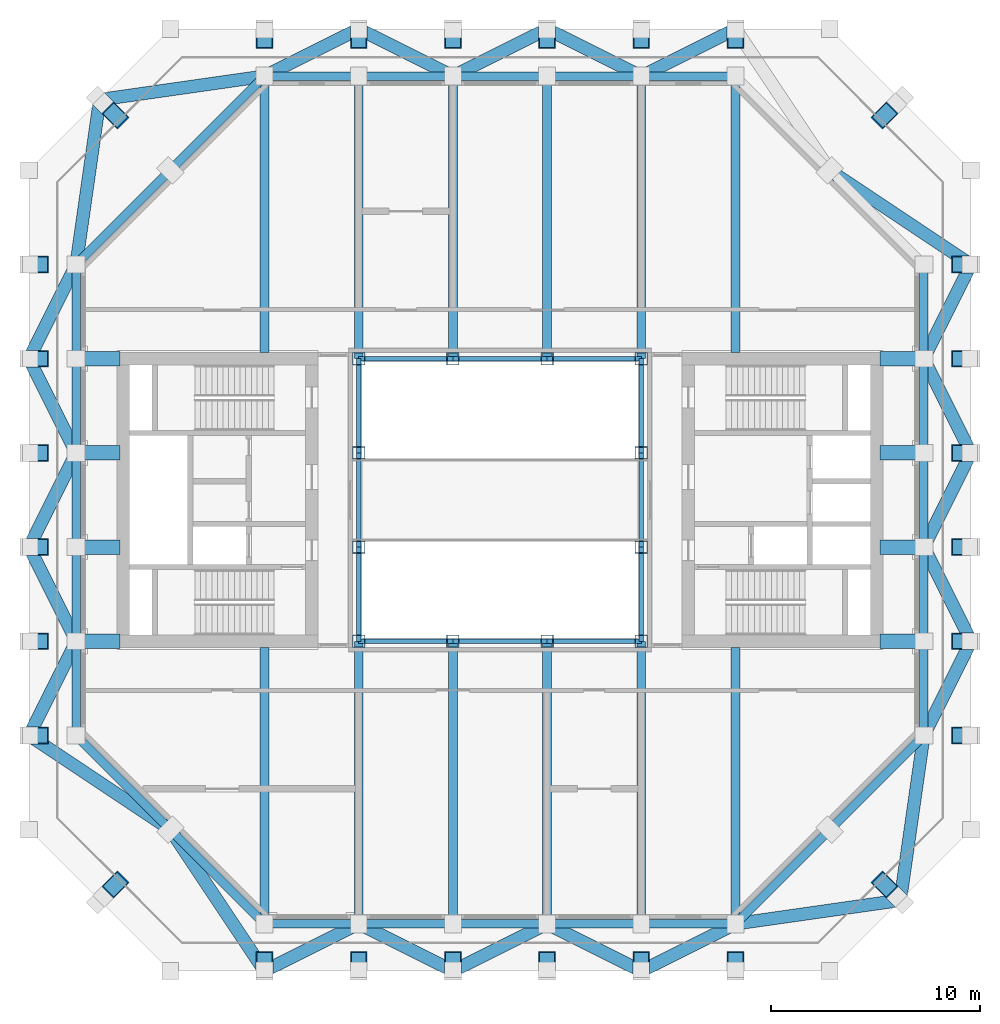
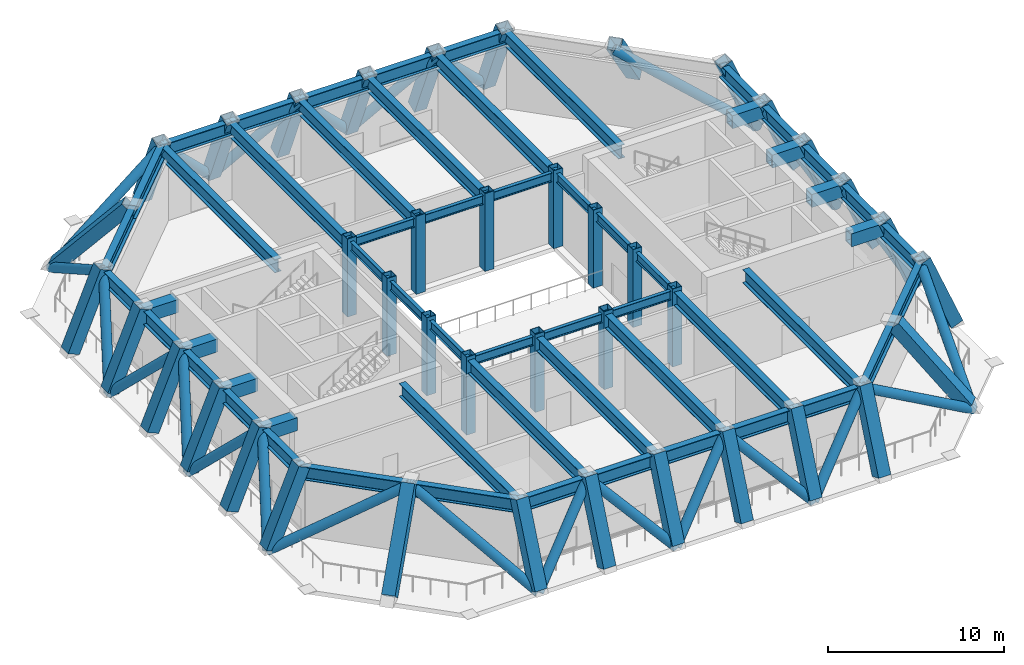
# One storey, part 1 of 8: 58 beams, 40 columns, 27 members.
"""IFC4 building model written with IfcOpenShell, lengths in metres."""

from ifc_helpers import new_model, si_unit, direction, frame, origin, origin_2d, place, context, subcontext, project, spatial, hollow_rectangle, hollow_circle, i_section, extrude, clip, halfspace, material, material_profile, profile_set, type_object, element, save


model = new_model("IFC4")

# Units and contexts
model_context = context("Model", 3, precision=1e-05, world=origin(), true_north=direction((0.0, 1.0)))
body_context = subcontext(model_context, "Body", "Model", "MODEL_VIEW")
ifc_project = project(units=[si_unit("LENGTHUNIT", "METRE"), si_unit("AREAUNIT", "SQUARE_METRE"), si_unit("VOLUMEUNIT", "CUBIC_METRE"), si_unit("PLANEANGLEUNIT", "RADIAN"), si_unit("MASSUNIT", "GRAM", prefix="KILO")], contexts=[model_context])

# Site, building, storey
site_placement = place(None, origin())
site = spatial("IfcSite", under=ifc_project, at=site_placement, CompositionType="ELEMENT")
building_placement = place(site_placement, origin())
building = spatial("IfcBuilding", under=site, at=building_placement, Name="Msasa Ring Tower", CompositionType="ELEMENT")
storey_placement = place(building_placement, frame((0.0, 0.0, 190.39990234375)))
storey = spatial("IfcBuildingStorey", under=building, at=storey_placement, Name="L50", CompositionType="ELEMENT", Elevation=190.39990234375)

# Columns
ifc_material_1 = material(Name="Steel S355", Category="steel")
ifc_material_profile_1 = material_profile(ifc_material_1, hollow_rectangle(XDim=0.60009765625, YDim=0.60009765625, WallThickness=0.030029296875, at=origin_2d()), Name="BOX 600x600x30")
ifc_profile_set_1 = profile_set([ifc_material_profile_1], Name="Steel S355")
column_type_1 = type_object("IfcColumnType", Name="IC5 BOX 600x600x30", PredefinedType="COLUMN", material=ifc_profile_set_1)
for number, where, z_axis, x_axis, name in (
    (1, (-6.75, -6.75, 0.0), (0.0, 0.0, 1.0), (1.0, 0.0, 0.0), "Inner ring column IR-6.75-6.75 L50"),
    (2, (-6.75, -2.25, 0.0), (0.0, 0.0, 1.0), (1.0, 0.0, 0.0), "Inner ring column IR-6.75-2.25 L50"),
    (3, (-6.75, 2.25, 0.0), (0.0, 0.0, 1.0), (1.0, 0.0, 0.0), "Inner ring column IR-6.75+2.25 L50"),
    (4, (-6.75, 6.75, 0.0), (0.0, 0.0, 1.0), (1.0, 0.0, 0.0), "Inner ring column IR-6.75+6.75 L50"),
    (5, (-2.25, -6.75, 0.0), (0.0, 0.0, 1.0), (1.0, 0.0, 0.0), "Inner ring column IR-2.25-6.75 L50"),
    (6, (-2.25, 6.75, 0.0), (0.0, 0.0, 1.0), (1.0, 0.0, 0.0), "Inner ring column IR-2.25+6.75 L50"),
    (7, (2.25, -6.75, 0.0), (0.0, 0.0, 1.0), (1.0, 0.0, 0.0), "Inner ring column IR+2.25-6.75 L50"),
    (8, (2.25, 6.75, 0.0), (0.0, 0.0, 1.0), (1.0, 0.0, 0.0), "Inner ring column IR+2.25+6.75 L50"),
    (9, (6.75, -6.75, 0.0), (0.0, 0.0, 1.0), (1.0, 0.0, 0.0), "Inner ring column IR+6.75-6.75 L50"),
    (10, (6.75, -2.25, 0.0), (0.0, 0.0, 1.0), (1.0, 0.0, 0.0), "Inner ring column IR+6.75-2.25 L50"),
    (11, (6.75, 2.25, 0.0), (0.0, 0.0, 1.0), (1.0, 0.0, 0.0), "Inner ring column IR+6.75+2.25 L50"),
    (12, (6.75, 6.75, 0.0), (0.0, 0.0, 1.0), (1.0, 0.0, 0.0), "Inner ring column IR+6.75+6.75 L50"),
):
    element("IfcColumn", number, at=place(storey_placement, frame(where, z_axis=z_axis, x_axis=x_axis)), inside=storey, type_object=column_type_1, Name=name, PredefinedType="COLUMN", context=body_context, shape_type="SweptSolid", body=[
        extrude(hollow_rectangle(XDim=0.60009765625, YDim=0.60009765625, WallThickness=0.030029296875, at=origin_2d()), origin(), (0.0, 0.0, 1.0), 5.400146484375),
    ])
ifc_material_2 = material(Name="Steel S355", Category="steel")
ifc_material_profile_2 = material_profile(ifc_material_2, hollow_rectangle(XDim=0.800048828125, YDim=0.800048828125, WallThickness=0.044921875, at=origin_2d()), Name="BOX 800x800x45")
ifc_profile_set_2 = profile_set([ifc_material_profile_2], Name="Steel S355")
column_type_2 = type_object("IfcColumnType", Name="RC2 BOX 800x800x45", PredefinedType="USERDEFINED", material=ifc_profile_set_2)
for number, where, z_axis, x_axis, name in (
    (13, (-11.25, -22.5, 0.0), (0.0, 0.384606494839, 0.9230806271), (0.0, -0.923096561273, 0.384568249555), "Raked tube column S-11.25 L50"),
    (14, (-11.25, 22.5, 0.0), (0.0, -0.384606494839, 0.9230806271), (0.0, 0.923096561273, 0.384568249555), "Raked tube column N-11.25 L50"),
    (15, (22.5, -11.25, 0.0), (-0.384606494839, 0.0, 0.9230806271), (0.0, -1.0, 0.0), "Raked tube column E-11.25 L50"),
    (16, (-22.5, -11.25, 0.0), (0.384606494839, 0.0, 0.9230806271), (0.0, 1.0, 0.0), "Raked tube column W-11.25 L50"),
    (17, (-6.75, -22.5, 0.0), (0.0, 0.384606494839, 0.9230806271), (0.0, -0.923096561273, 0.384568249555), "Raked tube column S-6.75 L50"),
    (18, (-6.75, 22.5, 0.0), (0.0, -0.384606494839, 0.9230806271), (0.0, 0.923096561273, 0.384568249555), "Raked tube column N-6.75 L50"),
    (19, (22.5, -6.75, 0.0), (-0.384606494839, 0.0, 0.9230806271), (0.0, -1.0, 0.0), "Raked tube column E-6.75 L50"),
    (20, (-22.5, -6.75, 0.0), (0.384606494839, 0.0, 0.9230806271), (0.0, 1.0, 0.0), "Raked tube column W-6.75 L50"),
    (21, (-2.25, -22.5, 0.0), (0.0, 0.384606494839, 0.9230806271), (0.0, -0.923096561273, 0.384568249555), "Raked tube column S-2.25 L50"),
    (22, (-2.25, 22.5, 0.0), (0.0, -0.384606494839, 0.9230806271), (0.0, 0.923096561273, 0.384568249555), "Raked tube column N-2.25 L50"),
    (23, (22.5, -2.25, 0.0), (-0.384606494839, 0.0, 0.9230806271), (0.0, -1.0, 0.0), "Raked tube column E-2.25 L50"),
    (24, (-22.5, -2.25, 0.0), (0.384606494839, 0.0, 0.9230806271), (0.0, 1.0, 0.0), "Raked tube column W-2.25 L50"),
    (25, (2.25, -22.5, 0.0), (0.0, 0.384606494839, 0.9230806271), (0.0, -0.923096561273, 0.384568249555), "Raked tube column S+2.25 L50"),
    (26, (2.25, 22.5, 0.0), (0.0, -0.384606494839, 0.9230806271), (0.0, 0.923096561273, 0.384568249555), "Raked tube column N+2.25 L50"),
    (27, (22.5, 2.25, 0.0), (-0.384606494839, 0.0, 0.9230806271), (0.0, -1.0, 0.0), "Raked tube column E+2.25 L50"),
    (28, (-22.5, 2.25, 0.0), (0.384606494839, 0.0, 0.9230806271), (0.0, 1.0, 0.0), "Raked tube column W+2.25 L50"),
    (29, (6.75, -22.5, 0.0), (0.0, 0.384606494839, 0.9230806271), (0.0, -0.923096561273, 0.384568249555), "Raked tube column S+6.75 L50"),
    (30, (6.75, 22.5, 0.0), (0.0, -0.384606494839, 0.9230806271), (0.0, 0.923096561273, 0.384568249555), "Raked tube column N+6.75 L50"),
    (31, (22.5, 6.75, 0.0), (-0.384606494839, 0.0, 0.9230806271), (0.0, -1.0, 0.0), "Raked tube column E+6.75 L50"),
    (32, (-22.5, 6.75, 0.0), (0.384606494839, 0.0, 0.9230806271), (0.0, 1.0, 0.0), "Raked tube column W+6.75 L50"),
    (33, (11.25, -22.5, 0.0), (0.0, 0.384606494839, 0.9230806271), (0.0, -0.923096561273, 0.384568249555), "Raked tube column S+11.25 L50"),
    (34, (11.25, 22.5, 0.0), (0.0, -0.384606494839, 0.9230806271), (0.0, 0.923096561273, 0.384568249555), "Raked tube column N+11.25 L50"),
    (35, (22.5, 11.25, 0.0), (-0.384606494839, 0.0, 0.9230806271), (0.0, -1.0, 0.0), "Raked tube column E+11.25 L50"),
    (36, (-22.5, 11.25, 0.0), (0.384606494839, 0.0, 0.9230806271), (0.0, 1.0, 0.0), "Raked tube column W+11.25 L50"),
):
    element("IfcColumn", number, at=place(storey_placement, frame(where, z_axis=z_axis, x_axis=x_axis)), inside=storey, type_object=column_type_2, Name=name, ObjectType="RAKED COLUMN", PredefinedType="USERDEFINED", context=body_context, shape_type="Clipping", body=[
        clip(clip(extrude(hollow_rectangle(XDim=0.800048828125, YDim=0.800048828125, WallThickness=0.044921875, at=origin_2d()), origin(), (0.0, 0.0, 1.0), 5.85009765625), halfspace(frame((0.0, 0.0, 0.166748046875), z_axis=(0.0, 0.0, 1.0)), True)), halfspace(frame((0.0, 0.0, 5.683349609375), z_axis=(0.0, 0.0, -1.0)), True)),
    ])
for number, where, z_axis, x_axis, name in (
    (37, (19.125, -19.125, 0.0), (-0.468285774203, 0.468285774203, 0.749277563629), (-0.707106781187, -0.707106781187, 0.0), "Raked tube column SE L50"),
    (38, (19.125, 19.125, 0.0), (-0.468285774203, -0.468285774203, 0.749277563629), (0.707106781187, -0.707106781187, 0.0), "Raked tube column NE L50"),
    (39, (-19.125, 19.125, 0.0), (0.468285774203, -0.468285774203, 0.749277563629), (0.707106781187, 0.707106781187, 0.0), "Raked tube column NW L50"),
    (40, (-19.125, -19.125, 0.0), (0.468285774203, 0.468285774203, 0.749277563629), (-0.707106781187, 0.707106781187, 0.0), "Raked tube column SW L50"),
):
    element("IfcColumn", number, at=place(storey_placement, frame(where, z_axis=z_axis, x_axis=x_axis)), inside=storey, type_object=column_type_2, Name=name, ObjectType="RAKED COLUMN", PredefinedType="USERDEFINED", context=body_context, shape_type="Clipping", body=[
        clip(clip(extrude(hollow_rectangle(XDim=0.800048828125, YDim=0.800048828125, WallThickness=0.044921875, at=origin_2d()), origin(), (0.0, 0.0, 1.0), 7.20703125), halfspace(frame((0.0, 0.0, 0.353515625), z_axis=(0.0, 0.0, 1.0)), True)), halfspace(frame((0.0, 0.0, 6.853515625), z_axis=(0.0, 0.0, -1.0)), True)),
    ])

# Members
ifc_material_3 = material(Name="Steel S355", Category="steel")
ifc_material_profile_3 = material_profile(ifc_material_3, hollow_circle(Radius=0.304931640625, WallThickness=0.0400390625, at=origin_2d()), Name="CHS 610x40")
ifc_profile_set_3 = profile_set([ifc_material_profile_3], Name="Steel S355")
member_type = type_object("IfcMemberType", Name="BR2 CHS 610x40", PredefinedType="BRACE", material=ifc_profile_set_3)
for number, where, z_axis, x_axis, name in (
    (41, (-22.5, -2.25, 0.0), (0.319114880203, -0.638229760407, 0.700591511627), (0.894427191, 0.4472135955, 0.0), "Belt brace W-2.25 L50"),
    (42, (-22.5, -11.25, 0.0), (0.319114880203, 0.638229760407, 0.700591511627), (-0.894427191, 0.4472135955, 0.0), "Belt brace W-6.75 L50"),
):
    element("IfcMember", number, at=place(storey_placement, frame(where, z_axis=z_axis, x_axis=x_axis)), inside=storey, type_object=member_type, Name=name, PredefinedType="BRACE", context=body_context, shape_type="SweptSolid", body=[
        extrude(hollow_circle(Radius=0.304931640625, WallThickness=0.0400390625, at=origin_2d()), origin(), (0.0, 0.0, 1.0), 7.05078125),
    ])
for number, where, z_axis, x_axis, name in (
    (43, (-22.5, -11.25, 0.0), (0.710671579008, -0.473781052672, 0.520074437864), (0.554700196225, 0.832050294338, 0.0), "Belt brace W-11.25 L50"),
    (44, (-11.25, -22.5, 0.0), (-0.473781052672, 0.710671579008, 0.520074437864), (-0.832050294338, -0.554700196225, 0.0), "Belt brace SW L50"),
):
    element("IfcMember", number, at=place(storey_placement, frame(where, z_axis=z_axis, x_axis=x_axis)), inside=storey, type_object=member_type, Name=name, PredefinedType="BRACE", context=body_context, shape_type="SweptSolid", body=[
        extrude(hollow_circle(Radius=0.304931640625, WallThickness=0.0400390625, at=origin_2d()), origin(), (0.0, 0.0, 1.0), 9.498046875),
    ])
for number, where, z_axis, x_axis, name in (
    (45, (-11.25, -22.5, 0.0), (0.638229760407, 0.319114880203, 0.700591511627), (-0.4472135955, 0.894427191, 0.0), "Belt brace S-11.25 L50"),
    (46, (-2.25, -22.5, 0.0), (-0.638229760407, 0.319114880203, 0.700591511627), (-0.4472135955, -0.894427191, 0.0), "Belt brace S-6.75 L50"),
    (47, (-2.25, -22.5, 0.0), (0.638229760407, 0.319114880203, 0.700591511627), (-0.4472135955, 0.894427191, 0.0), "Belt brace S-2.25 L50"),
    (48, (6.75, -22.5, 0.0), (-0.638229760407, 0.319114880203, 0.700591511627), (-0.4472135955, -0.894427191, 0.0), "Belt brace S+2.25 L50"),
    (49, (6.75, -22.5, 0.0), (0.638229760407, 0.319114880203, 0.700591511627), (-0.4472135955, 0.894427191, 0.0), "Belt brace S+6.75 L50"),
):
    element("IfcMember", number, at=place(storey_placement, frame(where, z_axis=z_axis, x_axis=x_axis)), inside=storey, type_object=member_type, Name=name, PredefinedType="BRACE", context=body_context, shape_type="SweptSolid", body=[
        extrude(hollow_circle(Radius=0.304931640625, WallThickness=0.0400390625, at=origin_2d()), origin(), (0.0, 0.0, 1.0), 7.05078125),
    ])
for number, where, z_axis, x_axis, name in (
    (50, (19.125, -19.125, 0.0), (-0.840999403521, -0.120142771932, 0.527527930663), (0.141421356237, -0.989949493661, 0.0), "Belt brace S+11.25 L50"),
    (51, (19.125, -19.125, 0.0), (0.120142771932, 0.840999403521, 0.527527930663), (-0.989949493661, 0.141421356237, 0.0), "Belt brace SE L50"),
):
    element("IfcMember", number, at=place(storey_placement, frame(where, z_axis=z_axis, x_axis=x_axis)), inside=storey, type_object=member_type, Name=name, PredefinedType="BRACE", context=body_context, shape_type="SweptSolid", body=[
        extrude(hollow_circle(Radius=0.304931640625, WallThickness=0.0400390625, at=origin_2d()), origin(), (0.0, 0.0, 1.0), 9.36376953125),
    ])
for number, where, z_axis, x_axis, name in (
    (52, (22.5, -6.75, 0.0), (-0.319114880203, -0.638229760407, 0.700591511627), (0.894427191, -0.4472135955, 0.0), "Belt brace E-11.25 L50"),
    (53, (22.5, -6.75, 0.0), (-0.319114880203, 0.638229760407, 0.700591511627), (-0.894427191, -0.4472135955, 0.0), "Belt brace E-6.75 L50"),
    (54, (22.5, 2.25, 0.0), (-0.319114880203, -0.638229760407, 0.700591511627), (0.894427191, -0.4472135955, 0.0), "Belt brace E-2.25 L50"),
    (55, (22.5, 2.25, 0.0), (-0.319114880203, 0.638229760407, 0.700591511627), (-0.894427191, -0.4472135955, 0.0), "Belt brace E+2.25 L50"),
    (56, (22.5, 11.25, 0.0), (-0.319114880203, -0.638229760407, 0.700591511627), (0.894427191, -0.4472135955, 0.0), "Belt brace E+6.75 L50"),
):
    element("IfcMember", number, at=place(storey_placement, frame(where, z_axis=z_axis, x_axis=x_axis)), inside=storey, type_object=member_type, Name=name, PredefinedType="BRACE", context=body_context, shape_type="SweptSolid", body=[
        extrude(hollow_circle(Radius=0.304931640625, WallThickness=0.0400390625, at=origin_2d()), origin(), (0.0, 0.0, 1.0), 7.05078125),
    ])
member_placement = place(storey_placement, frame((22.5, 11.25, 0.0), z_axis=(-0.710671579008, 0.473781052672, 0.520074437864), x_axis=(-0.554700196225, -0.832050294338, 0.0)))
element("IfcMember", 57, at=member_placement, inside=storey, type_object=member_type, Name="Belt brace E+11.25 L50", PredefinedType="BRACE", context=body_context, shape_type="SweptSolid", body=[
    extrude(hollow_circle(Radius=0.304931640625, WallThickness=0.0400390625, at=origin_2d()), origin(), (0.0, 0.0, 1.0), 9.498046875),
])
for number, where, z_axis, x_axis, name in (
    (58, (11.25, 22.5, 0.0), (-0.638229760407, -0.319114880203, 0.700591511627), (0.4472135955, -0.894427191, 0.0), "Belt brace N+11.25 L50"),
    (59, (2.25, 22.5, 0.0), (0.638229760407, -0.319114880203, 0.700591511627), (0.4472135955, 0.894427191, 0.0), "Belt brace N+6.75 L50"),
    (60, (2.25, 22.5, 0.0), (-0.638229760407, -0.319114880203, 0.700591511627), (0.4472135955, -0.894427191, 0.0), "Belt brace N+2.25 L50"),
    (61, (-6.75, 22.5, 0.0), (0.638229760407, -0.319114880203, 0.700591511627), (0.4472135955, 0.894427191, 0.0), "Belt brace N-2.25 L50"),
    (62, (-6.75, 22.5, 0.0), (-0.638229760407, -0.319114880203, 0.700591511627), (0.4472135955, -0.894427191, 0.0), "Belt brace N-6.75 L50"),
):
    element("IfcMember", number, at=place(storey_placement, frame(where, z_axis=z_axis, x_axis=x_axis)), inside=storey, type_object=member_type, Name=name, PredefinedType="BRACE", context=body_context, shape_type="SweptSolid", body=[
        extrude(hollow_circle(Radius=0.304931640625, WallThickness=0.0400390625, at=origin_2d()), origin(), (0.0, 0.0, 1.0), 7.05078125),
    ])
for number, where, z_axis, x_axis, name in (
    (63, (-19.125, 19.125, 0.0), (0.840999403521, 0.120142771932, 0.527527930663), (-0.141421356237, 0.989949493661, 0.0), "Belt brace N-11.25 L50"),
    (64, (-19.125, 19.125, 0.0), (-0.120142771932, -0.840999403521, 0.527527930663), (0.989949493661, -0.141421356237, 0.0), "Belt brace NW L50"),
):
    element("IfcMember", number, at=place(storey_placement, frame(where, z_axis=z_axis, x_axis=x_axis)), inside=storey, type_object=member_type, Name=name, PredefinedType="BRACE", context=body_context, shape_type="SweptSolid", body=[
        extrude(hollow_circle(Radius=0.304931640625, WallThickness=0.0400390625, at=origin_2d()), origin(), (0.0, 0.0, 1.0), 9.36376953125),
    ])
for number, where, z_axis, x_axis, name in (
    (65, (-22.5, 6.75, 0.0), (0.319114880203, 0.638229760407, 0.700591511627), (-0.894427191, 0.4472135955, 0.0), "Belt brace W+11.25 L50"),
    (66, (-22.5, 6.75, 0.0), (0.319114880203, -0.638229760407, 0.700591511627), (0.894427191, 0.4472135955, 0.0), "Belt brace W+6.75 L50"),
    (67, (-22.5, -2.25, 0.0), (0.319114880203, 0.638229760407, 0.700591511627), (-0.894427191, 0.4472135955, 0.0), "Belt brace W+2.25 L50"),
):
    element("IfcMember", number, at=place(storey_placement, frame(where, z_axis=z_axis, x_axis=x_axis)), inside=storey, type_object=member_type, Name=name, PredefinedType="BRACE", context=body_context, shape_type="SweptSolid", body=[
        extrude(hollow_circle(Radius=0.304931640625, WallThickness=0.0400390625, at=origin_2d()), origin(), (0.0, 0.0, 1.0), 7.05078125),
    ])

# Beams
ifc_material_4 = material(Name="Steel S355", Category="steel")
ifc_material_profile_4 = material_profile(ifc_material_4, i_section(OverallWidth=0.42041015625, OverallDepth=0.9208984375, WebThickness=0.021484375, FlangeThickness=0.03662109375, FilletRadius=0.024169921875, at=origin_2d()), Name="UB 914x419x388")
ifc_profile_set_4 = profile_set([ifc_material_profile_4], Name="Steel S355")
beam_type_1 = type_object("IfcBeamType", Name="FB2 UB 914x419x388", PredefinedType="BEAM", material=ifc_profile_set_4)
beam_1_placement = place(storey_placement, frame((-11.25, 20.25, 4.689697265625), z_axis=(0.0, -1.0, 0.0), x_axis=(1.0, 0.0, 0.0)))
element("IfcBeam", 68, at=beam_1_placement, inside=storey, type_object=beam_type_1, Name="Floor beam N-11.25 under L51", PredefinedType="BEAM", context=body_context, shape_type="SweptSolid", body=[
    extrude(i_section(OverallWidth=0.42041015625, OverallDepth=0.9208984375, WebThickness=0.021484375, FlangeThickness=0.03662109375, FilletRadius=0.024169921875, at=origin_2d()), origin(), (0.0, 0.0, 1.0), 13.199951171875),
])
for number, where, z_axis, x_axis, name in (
    (69, (-6.75, 20.25, 4.689697265625), (0.0, -1.0, 0.0), (1.0, 0.0, 0.0), "Floor beam N-6.75 under L51"),
    (70, (-2.25, 20.25, 4.689697265625), (0.0, -1.0, 0.0), (1.0, 0.0, 0.0), "Floor beam N-2.25 under L51"),
    (71, (2.25, 20.25, 4.689697265625), (0.0, -1.0, 0.0), (1.0, 0.0, 0.0), "Floor beam N+2.25 under L51"),
    (72, (6.75, 20.25, 4.689697265625), (0.0, -1.0, 0.0), (1.0, 0.0, 0.0), "Floor beam N+6.75 under L51"),
):
    element("IfcBeam", number, at=place(storey_placement, frame(where, z_axis=z_axis, x_axis=x_axis)), inside=storey, type_object=beam_type_1, Name=name, PredefinedType="BEAM", context=body_context, shape_type="SweptSolid", body=[
        extrude(i_section(OverallWidth=0.42041015625, OverallDepth=0.9208984375, WebThickness=0.021484375, FlangeThickness=0.03662109375, FilletRadius=0.024169921875, at=origin_2d()), origin(), (0.0, 0.0, 1.0), 13.5),
    ])
for number, where, z_axis, x_axis, name in (
    (73, (11.25, 20.25, 4.689697265625), (0.0, -1.0, 0.0), (1.0, 0.0, 0.0), "Floor beam N+11.25 under L51"),
    (74, (-11.25, -20.25, 4.689697265625), (0.0, 1.0, 0.0), (-1.0, 0.0, 0.0), "Floor beam S-11.25 under L51"),
):
    element("IfcBeam", number, at=place(storey_placement, frame(where, z_axis=z_axis, x_axis=x_axis)), inside=storey, type_object=beam_type_1, Name=name, PredefinedType="BEAM", context=body_context, shape_type="SweptSolid", body=[
        extrude(i_section(OverallWidth=0.42041015625, OverallDepth=0.9208984375, WebThickness=0.021484375, FlangeThickness=0.03662109375, FilletRadius=0.024169921875, at=origin_2d()), origin(), (0.0, 0.0, 1.0), 13.199951171875),
    ])
for number, where, z_axis, x_axis, name in (
    (75, (-6.75, -20.25, 4.689697265625), (0.0, 1.0, 0.0), (-1.0, 0.0, 0.0), "Floor beam S-6.75 under L51"),
    (76, (-2.25, -20.25, 4.689697265625), (0.0, 1.0, 0.0), (-1.0, 0.0, 0.0), "Floor beam S-2.25 under L51"),
    (77, (2.25, -20.25, 4.689697265625), (0.0, 1.0, 0.0), (-1.0, 0.0, 0.0), "Floor beam S+2.25 under L51"),
    (78, (6.75, -20.25, 4.689697265625), (0.0, 1.0, 0.0), (-1.0, 0.0, 0.0), "Floor beam S+6.75 under L51"),
):
    element("IfcBeam", number, at=place(storey_placement, frame(where, z_axis=z_axis, x_axis=x_axis)), inside=storey, type_object=beam_type_1, Name=name, PredefinedType="BEAM", context=body_context, shape_type="SweptSolid", body=[
        extrude(i_section(OverallWidth=0.42041015625, OverallDepth=0.9208984375, WebThickness=0.021484375, FlangeThickness=0.03662109375, FilletRadius=0.024169921875, at=origin_2d()), origin(), (0.0, 0.0, 1.0), 13.5),
    ])
beam_2_placement = place(storey_placement, frame((11.25, -20.25, 4.689697265625), z_axis=(0.0, 1.0, 0.0), x_axis=(-1.0, 0.0, 0.0)))
element("IfcBeam", 79, at=beam_2_placement, inside=storey, type_object=beam_type_1, Name="Floor beam S+11.25 under L51", PredefinedType="BEAM", context=body_context, shape_type="SweptSolid", body=[
    extrude(i_section(OverallWidth=0.42041015625, OverallDepth=0.9208984375, WebThickness=0.021484375, FlangeThickness=0.03662109375, FilletRadius=0.024169921875, at=origin_2d()), origin(), (0.0, 0.0, 1.0), 13.199951171875),
])
ifc_material_5 = material(Name="Steel S355", Category="steel")
ifc_material_profile_5 = material_profile(ifc_material_5, hollow_rectangle(XDim=0.699951171875, YDim=0.89990234375, WallThickness=0.080078125, at=origin_2d()), Name="BOX 900x700x80")
ifc_profile_set_5 = profile_set([ifc_material_profile_5], Name="Steel S355")
beam_type_2 = type_object("IfcBeamType", Name="FB4 BOX 900x700x80", PredefinedType="BEAM", material=ifc_profile_set_5)
for number, where, z_axis, x_axis, name in (
    (80, (20.25, -2.25, 4.7001953125), (-1.0, 0.0, 0.0), (0.0, -1.0, 0.0), "Floor beam E -2.25 under L51"),
    (81, (20.25, 2.25, 4.7001953125), (-1.0, 0.0, 0.0), (0.0, -1.0, 0.0), "Floor beam E +2.25 under L51"),
    (82, (-20.25, -2.25, 4.7001953125), (1.0, 0.0, 0.0), (0.0, 1.0, 0.0), "Floor beam W -2.25 under L51"),
    (83, (-20.25, 2.25, 4.7001953125), (1.0, 0.0, 0.0), (0.0, 1.0, 0.0), "Floor beam W +2.25 under L51"),
):
    element("IfcBeam", number, at=place(storey_placement, frame(where, z_axis=z_axis, x_axis=x_axis)), inside=storey, type_object=beam_type_2, Name=name, PredefinedType="BEAM", context=body_context, shape_type="SweptSolid", body=[
        extrude(hollow_rectangle(XDim=0.699951171875, YDim=0.89990234375, WallThickness=0.080078125, at=origin_2d()), origin(), (0.0, 0.0, 1.0), 2.10009765625),
    ])
ifc_material_6 = material(Name="Steel S355", Category="steel")
ifc_material_profile_6 = material_profile(ifc_material_6, hollow_rectangle(XDim=0.699951171875, YDim=0.89990234375, WallThickness=0.080078125, at=origin_2d()), Name="BOX 900x700x80")
ifc_profile_set_6 = profile_set([ifc_material_profile_6], Name="Steel S355")
beam_type_3 = type_object("IfcBeamType", Name="GB2 BOX 900x700x80", PredefinedType="BEAM", material=ifc_profile_set_6)
for number, where, z_axis, x_axis, name in (
    (84, (18.14990234375, 6.75, 4.7001953125), (1.0, 0.0, 0.0), (0.0, 1.0, 0.0), "Girder E +6.75 under L51"),
    (85, (18.14990234375, -6.75, 4.7001953125), (1.0, 0.0, 0.0), (0.0, 1.0, 0.0), "Girder E -6.75 under L51"),
    (86, (-18.14990234375, 6.75, 4.7001953125), (-1.0, 0.0, 0.0), (0.0, -1.0, 0.0), "Girder W +6.75 under L51"),
    (87, (-18.14990234375, -6.75, 4.7001953125), (-1.0, 0.0, 0.0), (0.0, -1.0, 0.0), "Girder W -6.75 under L51"),
):
    element("IfcBeam", number, at=place(storey_placement, frame(where, z_axis=z_axis, x_axis=x_axis)), inside=storey, type_object=beam_type_3, Name=name, PredefinedType="BEAM", context=body_context, shape_type="SweptSolid", body=[
        extrude(hollow_rectangle(XDim=0.699951171875, YDim=0.89990234375, WallThickness=0.080078125, at=origin_2d()), origin(), (0.0, 0.0, 1.0), 2.10009765625),
    ])
ifc_material_7 = material(Name="Steel S355", Category="steel")
ifc_material_profile_7 = material_profile(ifc_material_7, i_section(OverallWidth=0.230224609375, OverallDepth=0.6171875, WebThickness=0.01318359375, FlangeThickness=0.022216796875, FilletRadius=0.0126953125, at=origin_2d()), Name="UB 610x229x140")
ifc_profile_set_7 = profile_set([ifc_material_profile_7], Name="Steel S355")
beam_type_4 = type_object("IfcBeamType", Name="RB1 UB 610x229x140", PredefinedType="BEAM", material=ifc_profile_set_7)
for number, where, z_axis, x_axis, name in (
    (88, (-6.75, -2.25, 4.841552734375), (0.0, -1.0, 0.0), (1.0, 0.0, 0.0), "Inner ring beam IR-6.75-2.25 under L51"),
    (89, (-6.75, -6.75, 4.841552734375), (1.0, 0.0, 0.0), (0.0, 1.0, 0.0), "Inner ring beam IR-6.75-6.75 under L51"),
    (90, (-2.25, -6.75, 4.841552734375), (1.0, 0.0, 0.0), (0.0, 1.0, 0.0), "Inner ring beam IR-2.25-6.75 under L51"),
    (91, (2.25, -6.75, 4.841552734375), (1.0, 0.0, 0.0), (0.0, 1.0, 0.0), "Inner ring beam IR+2.25-6.75 under L51"),
    (92, (6.75, -6.75, 4.841552734375), (0.0, 1.0, 0.0), (-1.0, 0.0, 0.0), "Inner ring beam IR+6.75-6.75 under L51"),
    (93, (6.75, -2.25, 4.841552734375), (0.0, 1.0, 0.0), (-1.0, 0.0, 0.0), "Inner ring beam IR+6.75-2.25 under L51"),
    (94, (6.75, 2.25, 4.841552734375), (0.0, 1.0, 0.0), (-1.0, 0.0, 0.0), "Inner ring beam IR+6.75+2.25 under L51"),
    (95, (6.75, 6.75, 4.841552734375), (-1.0, 0.0, 0.0), (0.0, -1.0, 0.0), "Inner ring beam IR+6.75+6.75 under L51"),
    (96, (2.25, 6.75, 4.841552734375), (-1.0, 0.0, 0.0), (0.0, -1.0, 0.0), "Inner ring beam IR+2.25+6.75 under L51"),
    (97, (-2.25, 6.75, 4.841552734375), (-1.0, 0.0, 0.0), (0.0, -1.0, 0.0), "Inner ring beam IR-2.25+6.75 under L51"),
    (98, (-6.75, 6.75, 4.841552734375), (0.0, -1.0, 0.0), (1.0, 0.0, 0.0), "Inner ring beam IR-6.75+6.75 under L51"),
    (99, (-6.75, 2.25, 4.841552734375), (0.0, -1.0, 0.0), (1.0, 0.0, 0.0), "Inner ring beam IR-6.75+2.25 under L51"),
):
    element("IfcBeam", number, at=place(storey_placement, frame(where, z_axis=z_axis, x_axis=x_axis)), inside=storey, type_object=beam_type_4, Name=name, PredefinedType="BEAM", context=body_context, shape_type="SweptSolid", body=[
        extrude(i_section(OverallWidth=0.230224609375, OverallDepth=0.6171875, WebThickness=0.01318359375, FlangeThickness=0.022216796875, FilletRadius=0.0126953125, at=origin_2d()), origin(), (0.0, 0.0, 1.0), 4.5),
    ])
ifc_material_8 = material(Name="Steel S355", Category="steel")
ifc_material_profile_8 = material_profile(ifc_material_8, i_section(OverallWidth=0.42041015625, OverallDepth=0.9208984375, WebThickness=0.021484375, FlangeThickness=0.03662109375, FilletRadius=0.024169921875, at=origin_2d()), Name="UB 914x419x388")
ifc_profile_set_8 = profile_set([ifc_material_profile_8], Name="Steel S355")
beam_type_5 = type_object("IfcBeamType", Name="SB1 UB 914x419x388", PredefinedType="SPANDREL", material=ifc_profile_set_8)
for number, where, z_axis, x_axis, name in (
    (100, (-20.25, -2.25, 4.689697265625), (0.0, -1.0, 0.0), (1.0, 0.0, 0.0), "Spandrel W-2.25 to W-6.75 under L51"),
    (101, (-20.25, -6.75, 4.689697265625), (0.0, -1.0, 0.0), (1.0, 0.0, 0.0), "Spandrel W-6.75 to W-11.25 under L51"),
):
    element("IfcBeam", number, at=place(storey_placement, frame(where, z_axis=z_axis, x_axis=x_axis)), inside=storey, type_object=beam_type_5, Name=name, PredefinedType="SPANDREL", context=body_context, shape_type="SweptSolid", body=[
        extrude(i_section(OverallWidth=0.42041015625, OverallDepth=0.9208984375, WebThickness=0.021484375, FlangeThickness=0.03662109375, FilletRadius=0.024169921875, at=origin_2d()), origin(), (0.0, 0.0, 1.0), 4.5),
    ])
for number, where, z_axis, x_axis, name in (
    (102, (-20.25, -11.25, 4.689697265625), (0.707106781187, -0.707106781187, 0.0), (0.707106781187, 0.707106781187, 0.0), "Spandrel W-11.25 to SW under L51"),
    (103, (-15.75, -15.75, 4.689697265625), (0.707106781187, -0.707106781187, 0.0), (0.707106781187, 0.707106781187, 0.0), "Spandrel SW to S-11.25 under L51"),
):
    element("IfcBeam", number, at=place(storey_placement, frame(where, z_axis=z_axis, x_axis=x_axis)), inside=storey, type_object=beam_type_5, Name=name, PredefinedType="SPANDREL", context=body_context, shape_type="SweptSolid", body=[
        extrude(i_section(OverallWidth=0.42041015625, OverallDepth=0.9208984375, WebThickness=0.021484375, FlangeThickness=0.03662109375, FilletRadius=0.024169921875, at=origin_2d()), origin(), (0.0, 0.0, 1.0), 6.364013671875),
    ])
for number, where, z_axis, x_axis, name in (
    (104, (-11.25, -20.25, 4.689697265625), (1.0, 0.0, 0.0), (0.0, 1.0, 0.0), "Spandrel S-11.25 to S-6.75 under L51"),
    (105, (-6.75, -20.25, 4.689697265625), (1.0, 0.0, 0.0), (0.0, 1.0, 0.0), "Spandrel S-6.75 to S-2.25 under L51"),
    (106, (-2.25, -20.25, 4.689697265625), (1.0, 0.0, 0.0), (0.0, 1.0, 0.0), "Spandrel S-2.25 to S+2.25 under L51"),
    (107, (2.25, -20.25, 4.689697265625), (1.0, 0.0, 0.0), (0.0, 1.0, 0.0), "Spandrel S+2.25 to S+6.75 under L51"),
    (108, (6.75, -20.25, 4.689697265625), (1.0, 0.0, 0.0), (0.0, 1.0, 0.0), "Spandrel S+6.75 to S+11.25 under L51"),
):
    element("IfcBeam", number, at=place(storey_placement, frame(where, z_axis=z_axis, x_axis=x_axis)), inside=storey, type_object=beam_type_5, Name=name, PredefinedType="SPANDREL", context=body_context, shape_type="SweptSolid", body=[
        extrude(i_section(OverallWidth=0.42041015625, OverallDepth=0.9208984375, WebThickness=0.021484375, FlangeThickness=0.03662109375, FilletRadius=0.024169921875, at=origin_2d()), origin(), (0.0, 0.0, 1.0), 4.5),
    ])
for number, where, z_axis, x_axis, name in (
    (109, (11.25, -20.25, 4.689697265625), (0.707106781187, 0.707106781187, 0.0), (-0.707106781187, 0.707106781187, 0.0), "Spandrel S+11.25 to SE under L51"),
    (110, (15.75, -15.75, 4.689697265625), (0.707106781187, 0.707106781187, 0.0), (-0.707106781187, 0.707106781187, 0.0), "Spandrel SE to E-11.25 under L51"),
):
    element("IfcBeam", number, at=place(storey_placement, frame(where, z_axis=z_axis, x_axis=x_axis)), inside=storey, type_object=beam_type_5, Name=name, PredefinedType="SPANDREL", context=body_context, shape_type="SweptSolid", body=[
        extrude(i_section(OverallWidth=0.42041015625, OverallDepth=0.9208984375, WebThickness=0.021484375, FlangeThickness=0.03662109375, FilletRadius=0.024169921875, at=origin_2d()), origin(), (0.0, 0.0, 1.0), 6.364013671875),
    ])
for number, where, z_axis, x_axis, name in (
    (111, (20.25, -11.25, 4.689697265625), (0.0, 1.0, 0.0), (-1.0, 0.0, 0.0), "Spandrel E-11.25 to E-6.75 under L51"),
    (112, (20.25, -6.75, 4.689697265625), (0.0, 1.0, 0.0), (-1.0, 0.0, 0.0), "Spandrel E-6.75 to E-2.25 under L51"),
    (113, (20.25, -2.25, 4.689697265625), (0.0, 1.0, 0.0), (-1.0, 0.0, 0.0), "Spandrel E-2.25 to E+2.25 under L51"),
    (114, (20.25, 2.25, 4.689697265625), (0.0, 1.0, 0.0), (-1.0, 0.0, 0.0), "Spandrel E+2.25 to E+6.75 under L51"),
    (115, (20.25, 6.75, 4.689697265625), (0.0, 1.0, 0.0), (-1.0, 0.0, 0.0), "Spandrel E+6.75 to E+11.25 under L51"),
    (116, (11.25, 20.25, 4.689697265625), (-1.0, 0.0, 0.0), (0.0, -1.0, 0.0), "Spandrel N+11.25 to N+6.75 under L51"),
    (117, (6.75, 20.25, 4.689697265625), (-1.0, 0.0, 0.0), (0.0, -1.0, 0.0), "Spandrel N+6.75 to N+2.25 under L51"),
    (118, (2.25, 20.25, 4.689697265625), (-1.0, 0.0, 0.0), (0.0, -1.0, 0.0), "Spandrel N+2.25 to N-2.25 under L51"),
    (119, (-2.25, 20.25, 4.689697265625), (-1.0, 0.0, 0.0), (0.0, -1.0, 0.0), "Spandrel N-2.25 to N-6.75 under L51"),
    (120, (-6.75, 20.25, 4.689697265625), (-1.0, 0.0, 0.0), (0.0, -1.0, 0.0), "Spandrel N-6.75 to N-11.25 under L51"),
):
    element("IfcBeam", number, at=place(storey_placement, frame(where, z_axis=z_axis, x_axis=x_axis)), inside=storey, type_object=beam_type_5, Name=name, PredefinedType="SPANDREL", context=body_context, shape_type="SweptSolid", body=[
        extrude(i_section(OverallWidth=0.42041015625, OverallDepth=0.9208984375, WebThickness=0.021484375, FlangeThickness=0.03662109375, FilletRadius=0.024169921875, at=origin_2d()), origin(), (0.0, 0.0, 1.0), 4.5),
    ])
for number, where, z_axis, x_axis, name in (
    (121, (-11.25, 20.25, 4.689697265625), (-0.707106781187, -0.707106781187, 0.0), (0.707106781187, -0.707106781187, 0.0), "Spandrel N-11.25 to NW under L51"),
    (122, (-15.75, 15.75, 4.689697265625), (-0.707106781187, -0.707106781187, 0.0), (0.707106781187, -0.707106781187, 0.0), "Spandrel NW to W+11.25 under L51"),
):
    element("IfcBeam", number, at=place(storey_placement, frame(where, z_axis=z_axis, x_axis=x_axis)), inside=storey, type_object=beam_type_5, Name=name, PredefinedType="SPANDREL", context=body_context, shape_type="SweptSolid", body=[
        extrude(i_section(OverallWidth=0.42041015625, OverallDepth=0.9208984375, WebThickness=0.021484375, FlangeThickness=0.03662109375, FilletRadius=0.024169921875, at=origin_2d()), origin(), (0.0, 0.0, 1.0), 6.364013671875),
    ])
for number, where, z_axis, x_axis, name in (
    (123, (-20.25, 11.25, 4.689697265625), (0.0, -1.0, 0.0), (1.0, 0.0, 0.0), "Spandrel W+11.25 to W+6.75 under L51"),
    (124, (-20.25, 6.75, 4.689697265625), (0.0, -1.0, 0.0), (1.0, 0.0, 0.0), "Spandrel W+6.75 to W+2.25 under L51"),
    (125, (-20.25, 2.25, 4.689697265625), (0.0, -1.0, 0.0), (1.0, 0.0, 0.0), "Spandrel W+2.25 to W-2.25 under L51"),
):
    element("IfcBeam", number, at=place(storey_placement, frame(where, z_axis=z_axis, x_axis=x_axis)), inside=storey, type_object=beam_type_5, Name=name, PredefinedType="SPANDREL", context=body_context, shape_type="SweptSolid", body=[
        extrude(i_section(OverallWidth=0.42041015625, OverallDepth=0.9208984375, WebThickness=0.021484375, FlangeThickness=0.03662109375, FilletRadius=0.024169921875, at=origin_2d()), origin(), (0.0, 0.0, 1.0), 4.5),
    ])

save(model, "model.ifc")
